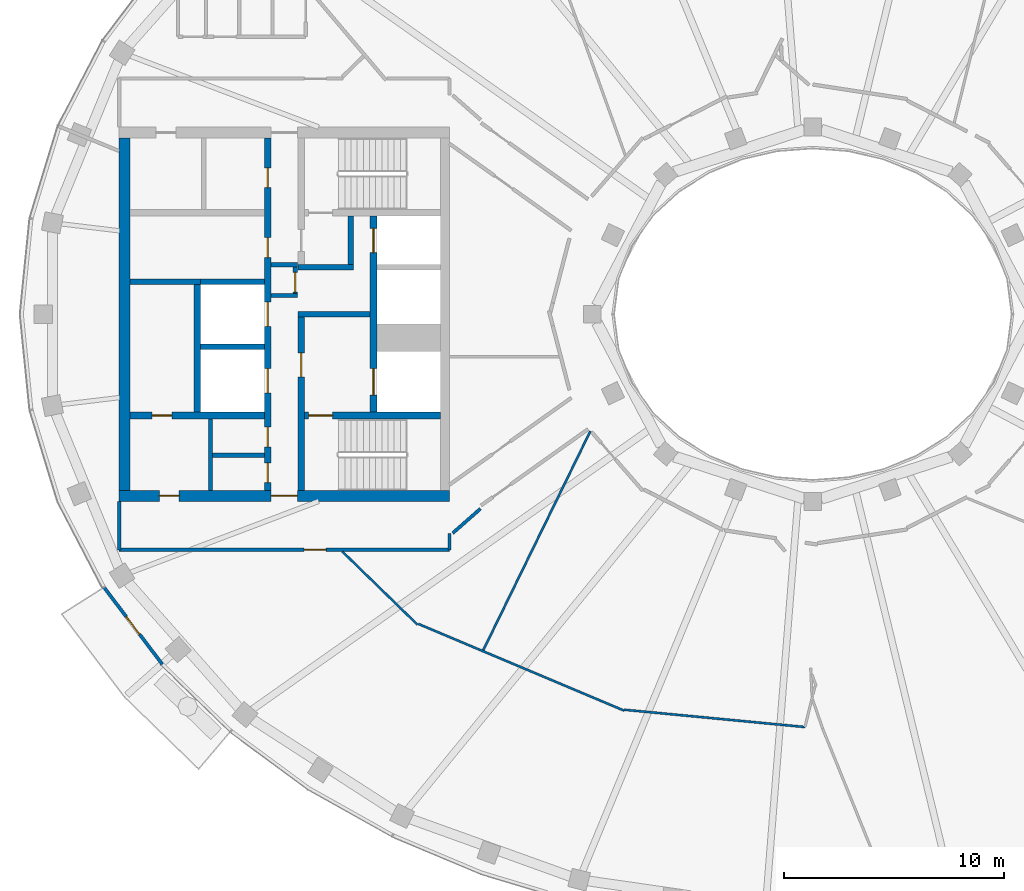
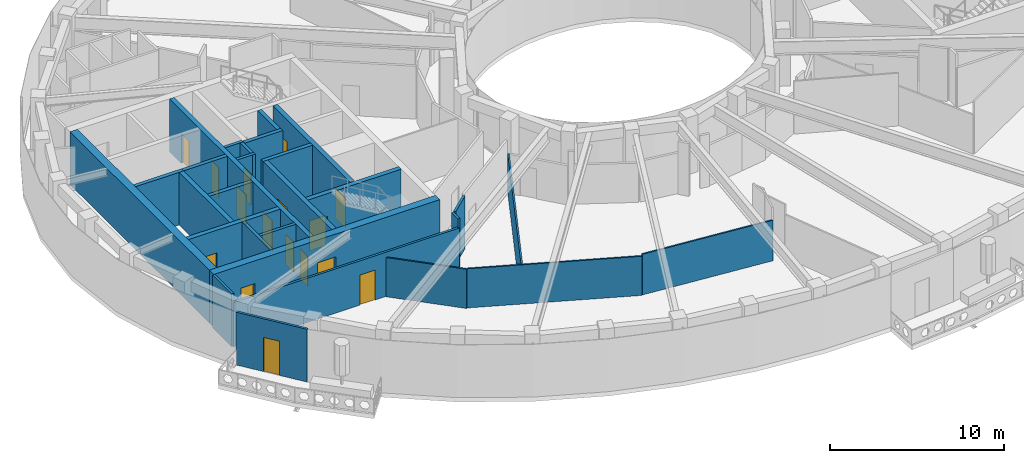
# One storey, part 3 of 20: 28 walls, 16 doors, 16 openings.
"""IFC4 building model written with IfcOpenShell, lengths in metres."""

from ifc_helpers import new_model, si_unit, direction, frame, frame_2d, origin, place, context, subcontext, project, spatial, rectangle, extrude, material, layer, layer_set, type_object, element, fill, save


model = new_model("IFC4")

# Units and contexts
model_context = context("Model", 3, precision=1e-05, world=origin(), true_north=direction((0.0, 1.0)))
body_context = subcontext(model_context, "Body", "Model", "MODEL_VIEW")
ifc_project = project(units=[si_unit("LENGTHUNIT", "METRE"), si_unit("AREAUNIT", "SQUARE_METRE"), si_unit("VOLUMEUNIT", "CUBIC_METRE"), si_unit("PLANEANGLEUNIT", "RADIAN"), si_unit("MASSUNIT", "GRAM", prefix="KILO")], contexts=[model_context])

# Site, building, storey
site_placement = place(None, origin())
site = spatial("IfcSite", under=ifc_project, at=site_placement, CompositionType="ELEMENT")
building_placement = place(site_placement, origin())
building = spatial("IfcBuilding", under=site, at=building_placement, Name="Noorbagh Ring Tower", CompositionType="ELEMENT")
storey_placement = place(building_placement, frame((0.0, 0.0, 323.0)))
storey = spatial("IfcBuildingStorey", under=building, at=storey_placement, Name="L70", CompositionType="ELEMENT", Elevation=323.0)

# Walls
ifc_material_1 = material(Name="Gypsum board on steel studs", Category="steel")
ifc_layer_1 = layer(ifc_material_1, 0.199951171875)
ifc_layer_set_1 = layer_set([ifc_layer_1], Name="Gypsum board on steel studs")
wall_type_1 = type_object("IfcWallType", Name="CORE-PARTITION-200", PredefinedType="PARTITIONING", material=ifc_layer_set_1)
for number, where, z_axis, x_axis, name in (
    (1, (-23.39990234375, 0.85009765625, 0.0), (0.0, 0.0, 1.0), (-1.0, 0.0, 0.0), "Core partition W"),
    (2, (-23.39990234375, 2.25, 0.0), (0.0, 0.0, 1.0), (-1.0, 0.0, 0.0), "Core partition W"),
):
    element("IfcWall", number, at=place(storey_placement, frame(where, z_axis=z_axis, x_axis=x_axis)), inside=storey, type_object=wall_type_1, Name=name, PredefinedType="PARTITIONING", context=body_context, shape_type="SweptSolid", body=[
        extrude(rectangle(XDim=1.2001953125, YDim=0.199951171875, at=frame_2d((0.60009765625, 0.0))), origin(), (0.0, 0.0, 1.0), 3.699951171875),
    ])

# Wall, opening, door
wall_1_placement = place(storey_placement, frame((-23.5, 0.75, 0.0), z_axis=(0.0, 0.0, 1.0), x_axis=(0.0, 1.0, 0.0)))
wall_1 = element("IfcWall", 3, at=wall_1_placement, inside=storey, type_object=wall_type_1, Name="Core partition W", PredefinedType="PARTITIONING", context=body_context, shape_type="SweptSolid", body=[
    extrude(rectangle(XDim=1.60009765625, YDim=0.199951171875, at=frame_2d((0.800048828125, 0.0))), origin(), (0.0, 0.0, 1.0), 3.699951171875),
])
opening_1_placement = place(wall_1_placement, frame((0.25, 0.0, 0.0)))
opening_1 = element("IfcOpeningElement", 4, at=opening_1_placement, cuts=wall_1, Name="Opening L70-CW17", PredefinedType="OPENING", context=body_context, shape_type="SweptSolid", body=[
    extrude(rectangle(XDim=0.89990234375, YDim=2.10009765625, at=frame_2d((0.449951171875, 1.050048828125))), frame((0.0, 0.10986328125, 0.0), z_axis=(0.0, -1.0, 0.0), x_axis=(1.0, 0.0, 0.0)), (0.0, 0.0, 1.0), 0.219970703125),
])
ifc_material_2 = material(Name="Steel door leaf", Category="steel")
door_type_1 = type_object("IfcDoorType", Name="CORE-DOOR-DROOM", OperationType="SINGLE_SWING_LEFT", PredefinedType="DOOR", material=ifc_material_2)
door_1_placement = place(opening_1_placement, origin())
door_1 = element("IfcDoor", 5, at=door_1_placement, inside=storey, type_object=door_type_1, Name="Core room door L70-CW17", OperationType="SINGLE_SWING_RIGHT", OverallHeight=2.10009765625, OverallWidth=0.89990234375, PredefinedType="DOOR", context=body_context, shape_type="SweptSolid", body=[
    extrude(rectangle(XDim=0.89990234375, YDim=2.10009765625, at=frame_2d((0.449951171875, 1.050048828125))), frame((0.0, 0.02490234375, 0.0), z_axis=(0.0, -1.0, 0.0), x_axis=(1.0, 0.0, 0.0)), (0.0, 0.0, 1.0), 0.050048828125),
])
fill(opening_1, door_1)

# Walls
wall_2_placement = place(storey_placement, frame((-27.35009765625, -8.0, 0.0), z_axis=(0.0, 0.0, 1.0), x_axis=(0.0, 1.0, 0.0)))
element("IfcWall", 6, at=wall_2_placement, inside=storey, type_object=wall_type_1, Name="Core partition W", PredefinedType="PARTITIONING", context=body_context, shape_type="SweptSolid", body=[
    extrude(rectangle(XDim=3.25, YDim=0.199951171875, at=frame_2d((1.625, 0.0))), origin(), (0.0, 0.0, 1.0), 3.699951171875),
])
wall_3_placement = place(storey_placement, frame((-24.89990234375, -6.39990234375, 0.0), z_axis=(0.0, 0.0, 1.0), x_axis=(-1.0, 0.0, 0.0)))
element("IfcWall", 7, at=wall_3_placement, inside=storey, type_object=wall_type_1, Name="Core partition W", PredefinedType="PARTITIONING", context=body_context, shape_type="SweptSolid", body=[
    extrude(rectangle(XDim=2.35009765625, YDim=0.199951171875, at=frame_2d((1.175048828125, 0.0))), origin(), (0.0, 0.0, 1.0), 3.699951171875),
])
ifc_material_3 = material(Name="Concrete C50/60", Category="concrete")
ifc_layer_2 = layer(ifc_material_3, 0.25)
ifc_layer_set_2 = layer_set([ifc_layer_2], Name="Concrete C50/60")
wall_type_2 = type_object("IfcWallType", Name="CORE-WALL-250-C50-60-EI120", PredefinedType="SHEAR", material=ifc_layer_set_2)
wall_4_placement = place(storey_placement, frame((-27.800048828125, 1.47509765625, 0.0), z_axis=(0.0, 0.0, 1.0), x_axis=(-1.0, 0.0, 0.0)))
element("IfcWall", 8, at=wall_4_placement, inside=storey, type_object=wall_type_2, Name="Core wall W", PredefinedType="SHEAR", context=body_context, shape_type="SweptSolid", body=[
    extrude(rectangle(XDim=3.199951171875, YDim=0.25, at=frame_2d((1.60009765625, 0.0))), origin(), (0.0, 0.0, 1.0), 3.699951171875),
])
for number, where, z_axis, x_axis, name in (
    (9, (-24.89990234375, -1.47509765625, 0.0), (0.0, 0.0, 1.0), (-1.0, 0.0, 0.0), "Core wall W"),
    (10, (-24.89990234375, 1.47509765625, 0.0), (0.0, 0.0, 1.0), (-1.0, 0.0, 0.0), "Core wall W"),
):
    element("IfcWall", number, at=place(storey_placement, frame(where, z_axis=z_axis, x_axis=x_axis)), inside=storey, type_object=wall_type_2, Name=name, PredefinedType="SHEAR", context=body_context, shape_type="SweptSolid", body=[
        extrude(rectangle(XDim=2.900146484375, YDim=0.25, at=frame_2d((1.4501953125, 0.0))), origin(), (0.0, 0.0, 1.0), 3.699951171875),
    ])
ifc_material_4 = material(Name="Concrete C50/60", Category="concrete")
ifc_layer_3 = layer(ifc_material_4, 0.25)
ifc_layer_set_3 = layer_set([ifc_layer_3], Name="Concrete C50/60")
wall_type_3 = type_object("IfcWallType", Name="CORE-WALL-250-C50-60-EI240", PredefinedType="SHEAR", material=ifc_layer_set_3)
wall_5_placement = place(storey_placement, frame((-20.10009765625, 0.0, 0.0), z_axis=(0.0, 0.0, 1.0), x_axis=(-1.0, 0.0, 0.0)))
element("IfcWall", 11, at=wall_5_placement, inside=storey, type_object=wall_type_3, Name="Core wall W", PredefinedType="SHEAR", context=body_context, shape_type="SweptSolid", body=[
    extrude(rectangle(XDim=3.27978515625, YDim=0.25, at=frame_2d((1.639892578125, 0.0))), origin(), (0.0, 0.0, 1.0), 3.699951171875),
])
wall_6_placement = place(storey_placement, frame((-20.85009765625, 2.125, 0.0), z_axis=(0.0, 0.0, 1.0), x_axis=(-1.0, 0.0, 0.0)))
element("IfcWall", 12, at=wall_6_placement, inside=storey, type_object=wall_type_3, Name="Core wall W", PredefinedType="SHEAR", context=body_context, shape_type="SweptSolid", body=[
    extrude(rectangle(XDim=2.52978515625, YDim=0.25, at=frame_2d((1.264892578125, 0.0))), origin(), (0.0, 0.0, 1.0), 3.699951171875),
])
wall_7_placement = place(storey_placement, frame((-20.97509765625, 2.25, 0.0), z_axis=(0.0, 0.0, 1.0), x_axis=(0.0, 1.0, 0.0)))
element("IfcWall", 13, at=wall_7_placement, inside=storey, type_object=wall_type_3, Name="Core wall W", PredefinedType="SHEAR", context=body_context, shape_type="SweptSolid", body=[
    extrude(rectangle(XDim=2.199951171875, YDim=0.25, at=frame_2d((1.10009765625, 0.0))), origin(), (0.0, 0.0, 1.0), 3.699951171875),
])
ifc_material_5 = material(Name="Concrete C50/60", Category="concrete")
ifc_layer_4 = layer(ifc_material_5, 0.300048828125)
ifc_layer_set_4 = layer_set([ifc_layer_4], Name="Concrete C50/60")
wall_type_4 = type_object("IfcWallType", Name="CORE-WALL-300-C50-60-EI120", PredefinedType="SHEAR", material=ifc_layer_set_4)
wall_8_placement = place(storey_placement, frame((-27.949951171875, -4.449951171875, 0.0), z_axis=(0.0, 0.0, 1.0), x_axis=(0.0, 1.0, 0.0)))
element("IfcWall", 14, at=wall_8_placement, inside=storey, type_object=wall_type_4, Name="Core wall W", PredefinedType="SHEAR", context=body_context, shape_type="SweptSolid", body=[
    extrude(rectangle(XDim=5.800048828125, YDim=0.300048828125, at=frame_2d((2.89990234375, 0.0))), origin(), (0.0, 0.0, 1.0), 3.699951171875),
])

# Wall, openings, doors
wall_9_placement = place(storey_placement, frame((-19.949951171875, -4.449951171875, 0.0), z_axis=(0.0, 0.0, 1.0), x_axis=(0.0, 1.0, 0.0)))
wall_9 = element("IfcWall", 15, at=wall_9_placement, inside=storey, type_object=wall_type_4, Name="Core wall W", PredefinedType="SHEAR", context=body_context, shape_type="SweptSolid", body=[
    extrude(rectangle(XDim=8.89990234375, YDim=0.300048828125, at=frame_2d((4.449951171875, 0.0))), origin(), (0.0, 0.0, 1.0), 3.699951171875),
])
opening_2_placement = place(wall_9_placement, frame((0.77490234375, 0.0, 0.0)))
opening_2 = element("IfcOpeningElement", 16, at=opening_2_placement, cuts=wall_9, Name="Opening L70-CW01", PredefinedType="OPENING", context=body_context, shape_type="SweptSolid", body=[
    extrude(rectangle(XDim=1.199951171875, YDim=2.10009765625, at=frame_2d((0.60009765625, 1.050048828125))), frame((0.0, 0.16015625, 0.0), z_axis=(0.0, -1.0, 0.0), x_axis=(1.0, 0.0, 0.0)), (0.0, 0.0, 1.0), 0.320068359375),
])
opening_3_placement = place(wall_9_placement, frame((7.25, 0.0, 0.0)))
opening_3 = element("IfcOpeningElement", 17, at=opening_3_placement, cuts=wall_9, Name="Opening L70-CW02", PredefinedType="OPENING", context=body_context, shape_type="SweptSolid", body=[
    extrude(rectangle(XDim=1.10009765625, YDim=2.10009765625, at=frame_2d((0.550048828125, 1.050048828125))), frame((0.0, 0.16015625, 0.0), z_axis=(0.0, -1.0, 0.0), x_axis=(1.0, 0.0, 0.0)), (0.0, 0.0, 1.0), 0.320068359375),
])
ifc_material_6 = material(Name="Steel door leaf", Category="steel")
door_type_2 = type_object("IfcDoorType", Name="CORE-DOOR-LD", OperationType="DOUBLE_DOOR_SLIDING", PredefinedType="DOOR", material=ifc_material_6)
door_2_placement = place(opening_3_placement, origin())
door_2 = element("IfcDoor", 18, at=door_2_placement, inside=storey, type_object=door_type_2, Name="Landing door HR1 L70-CW02", OperationType="DOUBLE_DOOR_SLIDING", OverallHeight=2.10009765625, OverallWidth=1.10009765625, PredefinedType="DOOR", context=body_context, shape_type="SweptSolid", body=[
    extrude(rectangle(XDim=1.10009765625, YDim=2.10009765625, at=frame_2d((0.550048828125, 1.050048828125))), frame((0.0, 0.02490234375, 0.0), z_axis=(0.0, -1.0, 0.0), x_axis=(1.0, 0.0, 0.0)), (0.0, 0.0, 1.0), 0.050048828125),
])
fill(opening_3, door_2)
ifc_material_7 = material(Name="Steel door leaf", Category="steel")
door_type_3 = type_object("IfcDoorType", Name="CORE-DOOR-LDW", OperationType="DOUBLE_DOOR_SLIDING", PredefinedType="DOOR", material=ifc_material_7)
door_3_placement = place(opening_2_placement, origin())
door_3 = element("IfcDoor", 19, at=door_3_placement, inside=storey, type_object=door_type_3, Name="Landing door FF1 L70-CW01", OperationType="DOUBLE_DOOR_SLIDING", OverallHeight=2.10009765625, OverallWidth=1.199951171875, PredefinedType="DOOR", context=body_context, shape_type="SweptSolid", body=[
    extrude(rectangle(XDim=1.199951171875, YDim=2.10009765625, at=frame_2d((0.60009765625, 1.050048828125))), frame((0.0, 0.02490234375, 0.0), z_axis=(0.0, -1.0, 0.0), x_axis=(1.0, 0.0, 0.0)), (0.0, 0.0, 1.0), 0.050048828125),
])
fill(opening_2, door_3)

wall_10_placement = place(storey_placement, frame((-24.75, -8.0, 0.0), z_axis=(0.0, 0.0, 1.0), x_axis=(0.0, 1.0, 0.0)))
wall_10 = element("IfcWall", 20, at=wall_10_placement, inside=storey, type_object=wall_type_4, Name="Core wall W", PredefinedType="SHEAR", context=body_context, shape_type="SweptSolid", body=[
    extrude(rectangle(XDim=16.0, YDim=0.300048828125, at=frame_2d((8.0, 0.0))), origin(), (0.0, 0.0, 1.0), 3.699951171875),
])
opening_4_placement = place(wall_10_placement, frame((4.425048828125, 0.0, 0.0)))
opening_4 = element("IfcOpeningElement", 21, at=opening_4_placement, cuts=wall_10, Name="Opening L70-CW03", PredefinedType="OPENING", context=body_context, shape_type="SweptSolid", body=[
    extrude(rectangle(XDim=1.10009765625, YDim=2.10009765625, at=frame_2d((0.550048828125, 1.050048828125))), frame((0.0, 0.16015625, 0.0), z_axis=(0.0, -1.0, 0.0), x_axis=(1.0, 0.0, 0.0)), (0.0, 0.0, 1.0), 0.320068359375),
])
opening_5_placement = place(wall_10_placement, frame((7.449951171875, 0.0, 0.0)))
opening_5 = element("IfcOpeningElement", 22, at=opening_5_placement, cuts=wall_10, Name="Opening L70-CW04", PredefinedType="OPENING", context=body_context, shape_type="SweptSolid", body=[
    extrude(rectangle(XDim=1.10009765625, YDim=2.10009765625, at=frame_2d((0.550048828125, 1.050048828125))), frame((0.0, 0.16015625, 0.0), z_axis=(0.0, -1.0, 0.0), x_axis=(1.0, 0.0, 0.0)), (0.0, 0.0, 1.0), 0.320068359375),
])
opening_6_placement = place(wall_10_placement, frame((10.574951171875, 0.0, 0.0)))
opening_6 = element("IfcOpeningElement", 23, at=opening_6_placement, cuts=wall_10, Name="Opening L70-CW11", PredefinedType="OPENING", context=body_context, shape_type="SweptSolid", body=[
    extrude(rectangle(XDim=0.89990234375, YDim=2.10009765625, at=frame_2d((0.449951171875, 1.050048828125))), frame((0.0, 0.16015625, 0.0), z_axis=(0.0, -1.0, 0.0), x_axis=(1.0, 0.0, 0.0)), (0.0, 0.0, 1.0), 0.320068359375),
])
opening_7_placement = place(wall_10_placement, frame((13.75, 0.0, 0.0)))
opening_7 = element("IfcOpeningElement", 24, at=opening_7_placement, cuts=wall_10, Name="Opening L70-CW12", PredefinedType="OPENING", context=body_context, shape_type="SweptSolid", body=[
    extrude(rectangle(XDim=0.89990234375, YDim=2.10009765625, at=frame_2d((0.449951171875, 1.050048828125))), frame((0.0, 0.16015625, 0.0), z_axis=(0.0, -1.0, 0.0), x_axis=(1.0, 0.0, 0.0)), (0.0, 0.0, 1.0), 0.320068359375),
])
opening_8_placement = place(wall_10_placement, frame((1.97509765625, 0.0, 0.0)))
opening_8 = element("IfcOpeningElement", 25, at=opening_8_placement, cuts=wall_10, Name="Opening L70-CW14", PredefinedType="OPENING", context=body_context, shape_type="SweptSolid", body=[
    extrude(rectangle(XDim=0.89990234375, YDim=2.10009765625, at=frame_2d((0.449951171875, 1.050048828125))), frame((0.0, 0.16015625, 0.0), z_axis=(0.0, -1.0, 0.0), x_axis=(1.0, 0.0, 0.0)), (0.0, 0.0, 1.0), 0.320068359375),
])
opening_9_placement = place(wall_10_placement, frame((0.35009765625, 0.0, 0.0)))
opening_9 = element("IfcOpeningElement", 26, at=opening_9_placement, cuts=wall_10, Name="Opening L70-CW15", PredefinedType="OPENING", context=body_context, shape_type="SweptSolid", body=[
    extrude(rectangle(XDim=0.89990234375, YDim=2.10009765625, at=frame_2d((0.449951171875, 1.050048828125))), frame((0.0, 0.16015625, 0.0), z_axis=(0.0, -1.0, 0.0), x_axis=(1.0, 0.0, 0.0)), (0.0, 0.0, 1.0), 0.320068359375),
])
door_4_placement = place(opening_6_placement, origin())
door_4 = element("IfcDoor", 27, at=door_4_placement, inside=storey, type_object=door_type_1, Name="Core room door L70-CW11", OperationType="SINGLE_SWING_RIGHT", OverallHeight=2.10009765625, OverallWidth=0.89990234375, PredefinedType="DOOR", context=body_context, shape_type="SweptSolid", body=[
    extrude(rectangle(XDim=0.89990234375, YDim=2.10009765625, at=frame_2d((0.449951171875, 1.050048828125))), frame((0.0, 0.02490234375, 0.0), z_axis=(0.0, -1.0, 0.0), x_axis=(1.0, 0.0, 0.0)), (0.0, 0.0, 1.0), 0.050048828125),
])
fill(opening_6, door_4)
door_5_placement = place(opening_7_placement, origin())
door_5 = element("IfcDoor", 28, at=door_5_placement, inside=storey, type_object=door_type_1, Name="Core room door L70-CW12", OperationType="SINGLE_SWING_RIGHT", OverallHeight=2.10009765625, OverallWidth=0.89990234375, PredefinedType="DOOR", context=body_context, shape_type="SweptSolid", body=[
    extrude(rectangle(XDim=0.89990234375, YDim=2.10009765625, at=frame_2d((0.449951171875, 1.050048828125))), frame((0.0, 0.02490234375, 0.0), z_axis=(0.0, -1.0, 0.0), x_axis=(1.0, 0.0, 0.0)), (0.0, 0.0, 1.0), 0.050048828125),
])
fill(opening_7, door_5)
door_6_placement = place(opening_8_placement, origin())
door_6 = element("IfcDoor", 29, at=door_6_placement, inside=storey, type_object=door_type_1, Name="Core room door L70-CW14", OperationType="SINGLE_SWING_RIGHT", OverallHeight=2.10009765625, OverallWidth=0.89990234375, PredefinedType="DOOR", context=body_context, shape_type="SweptSolid", body=[
    extrude(rectangle(XDim=0.89990234375, YDim=2.10009765625, at=frame_2d((0.449951171875, 1.050048828125))), frame((0.0, 0.02490234375, 0.0), z_axis=(0.0, -1.0, 0.0), x_axis=(1.0, 0.0, 0.0)), (0.0, 0.0, 1.0), 0.050048828125),
])
fill(opening_8, door_6)
door_7_placement = place(opening_9_placement, origin())
door_7 = element("IfcDoor", 30, at=door_7_placement, inside=storey, type_object=door_type_1, Name="Core room door L70-CW15", OperationType="SINGLE_SWING_LEFT", OverallHeight=2.10009765625, OverallWidth=0.89990234375, PredefinedType="DOOR", context=body_context, shape_type="SweptSolid", body=[
    extrude(rectangle(XDim=0.89990234375, YDim=2.10009765625, at=frame_2d((0.449951171875, 1.050048828125))), frame((0.0, 0.02490234375, 0.0), z_axis=(0.0, -1.0, 0.0), x_axis=(1.0, 0.0, 0.0)), (0.0, 0.0, 1.0), 0.050048828125),
])
fill(opening_9, door_7)
door_8_placement = place(opening_4_placement, origin())
door_8 = element("IfcDoor", 31, at=door_8_placement, inside=storey, type_object=door_type_2, Name="Landing door HR5 L70-CW03", OperationType="DOUBLE_DOOR_SLIDING", OverallHeight=2.10009765625, OverallWidth=1.10009765625, PredefinedType="DOOR", context=body_context, shape_type="SweptSolid", body=[
    extrude(rectangle(XDim=1.10009765625, YDim=2.10009765625, at=frame_2d((0.550048828125, 1.050048828125))), frame((0.0, 0.02490234375, 0.0), z_axis=(0.0, -1.0, 0.0), x_axis=(1.0, 0.0, 0.0)), (0.0, 0.0, 1.0), 0.050048828125),
])
fill(opening_4, door_8)
door_9_placement = place(opening_5_placement, origin())
door_9 = element("IfcDoor", 32, at=door_9_placement, inside=storey, type_object=door_type_2, Name="Landing door HR6 L70-CW04", OperationType="DOUBLE_DOOR_SLIDING", OverallHeight=2.10009765625, OverallWidth=1.10009765625, PredefinedType="DOOR", context=body_context, shape_type="SweptSolid", body=[
    extrude(rectangle(XDim=1.10009765625, YDim=2.10009765625, at=frame_2d((0.550048828125, 1.050048828125))), frame((0.0, 0.02490234375, 0.0), z_axis=(0.0, -1.0, 0.0), x_axis=(1.0, 0.0, 0.0)), (0.0, 0.0, 1.0), 0.050048828125),
])
fill(opening_5, door_9)

# Wall, opening, door
ifc_material_8 = material(Name="Concrete C50/60", Category="concrete")
ifc_layer_5 = layer(ifc_material_8, 0.300048828125)
ifc_layer_set_5 = layer_set([ifc_layer_5], Name="Concrete C50/60")
wall_type_5 = type_object("IfcWallType", Name="CORE-WALL-300-C50-60-EI240", PredefinedType="SHEAR", material=ifc_layer_set_5)
wall_11_placement = place(storey_placement, frame((-24.89990234375, -4.60009765625, 0.0), z_axis=(0.0, 0.0, 1.0), x_axis=(-1.0, 0.0, 0.0)))
wall_11 = element("IfcWall", 33, at=wall_11_placement, inside=storey, type_object=wall_type_5, Name="Core wall W", PredefinedType="SHEAR", context=body_context, shape_type="SweptSolid", body=[
    extrude(rectangle(XDim=6.10009765625, YDim=0.300048828125, at=frame_2d((3.050048828125, 0.0))), origin(), (0.0, 0.0, 1.0), 3.699951171875),
])
opening_10_placement = place(wall_11_placement, frame((4.199951171875, 0.0, 0.0)))
opening_10 = element("IfcOpeningElement", 34, at=opening_10_placement, cuts=wall_11, Name="Opening L70-CW18", PredefinedType="OPENING", context=body_context, shape_type="SweptSolid", body=[
    extrude(rectangle(XDim=0.89990234375, YDim=2.10009765625, at=frame_2d((0.449951171875, 1.050048828125))), frame((0.0, 0.16015625, 0.0), z_axis=(0.0, -1.0, 0.0), x_axis=(1.0, 0.0, 0.0)), (0.0, 0.0, 1.0), 0.320068359375),
])
door_10_placement = place(opening_10_placement, origin())
door_10 = element("IfcDoor", 35, at=door_10_placement, inside=storey, type_object=door_type_1, Name="Core room door L70-CW18", OperationType="SINGLE_SWING_RIGHT", OverallHeight=2.10009765625, OverallWidth=0.89990234375, PredefinedType="DOOR", context=body_context, shape_type="SweptSolid", body=[
    extrude(rectangle(XDim=0.89990234375, YDim=2.10009765625, at=frame_2d((0.449951171875, 1.050048828125))), frame((0.0, 0.02490234375, 0.0), z_axis=(0.0, -1.0, 0.0), x_axis=(1.0, 0.0, 0.0)), (0.0, 0.0, 1.0), 0.050048828125),
])
fill(opening_10, door_10)

wall_12_placement = place(storey_placement, frame((-23.22998046875, -8.0, 0.0), z_axis=(0.0, 0.0, 1.0), x_axis=(0.0, 1.0, 0.0)))
wall_12 = element("IfcWall", 36, at=wall_12_placement, inside=storey, type_object=wall_type_5, Name="Core wall W", PredefinedType="SHEAR", context=body_context, shape_type="SweptSolid", body=[
    extrude(rectangle(XDim=7.875, YDim=0.300048828125, at=frame_2d((3.9375, 0.0))), origin(), (0.0, 0.0, 1.0), 3.699951171875),
])
opening_11_placement = place(wall_12_placement, frame((5.14990234375, 0.0, 0.0)))
opening_11 = element("IfcOpeningElement", 37, at=opening_11_placement, cuts=wall_12, Name="Opening L70-CW07", PredefinedType="OPENING", context=body_context, shape_type="SweptSolid", body=[
    extrude(rectangle(XDim=1.10009765625, YDim=2.10009765625, at=frame_2d((0.550048828125, 1.050048828125))), frame((0.0, 0.16015625, 0.0), z_axis=(0.0, -1.0, 0.0), x_axis=(1.0, 0.0, 0.0)), (0.0, 0.0, 1.0), 0.320068359375),
])
ifc_material_9 = material(Name="Steel door leaf", Category="steel")
door_type_4 = type_object("IfcDoorType", Name="CORE-DOOR-DFF", OperationType="SINGLE_SWING_LEFT", PredefinedType="DOOR", material=ifc_material_9)
door_11_placement = place(opening_11_placement, origin())
door_11 = element("IfcDoor", 38, at=door_11_placement, inside=storey, type_object=door_type_4, Name="Firefighting lobby door L70-CW07", OperationType="SINGLE_SWING_LEFT", OverallHeight=2.10009765625, OverallWidth=1.10009765625, PredefinedType="DOOR", context=body_context, shape_type="SweptSolid", body=[
    extrude(rectangle(XDim=1.10009765625, YDim=2.10009765625, at=frame_2d((0.550048828125, 1.050048828125))), frame((0.0, 0.02490234375, 0.0), z_axis=(0.0, -1.0, 0.0), x_axis=(1.0, 0.0, 0.0)), (0.0, 0.0, 1.0), 0.050048828125),
])
fill(opening_11, door_11)

wall_13_placement = place(storey_placement, frame((-16.89990234375, -4.60009765625, 0.0), z_axis=(0.0, 0.0, 1.0), x_axis=(-1.0, 0.0, 0.0)))
wall_13 = element("IfcWall", 39, at=wall_13_placement, inside=storey, type_object=wall_type_5, Name="Core wall W", PredefinedType="SHEAR", context=body_context, shape_type="SweptSolid", body=[
    extrude(rectangle(XDim=6.18017578125, YDim=0.300048828125, at=frame_2d((3.090087890625, 0.0))), origin(), (0.0, 0.0, 1.0), 3.699951171875),
])
opening_12_placement = place(wall_13_placement, frame((4.89990234375, 0.0, 0.0)))
opening_12 = element("IfcOpeningElement", 40, at=opening_12_placement, cuts=wall_13, Name="Opening L70-CW06", PredefinedType="OPENING", context=body_context, shape_type="SweptSolid", body=[
    extrude(rectangle(XDim=1.10009765625, YDim=2.10009765625, at=frame_2d((0.550048828125, 1.050048828125))), frame((0.0, 0.16015625, 0.0), z_axis=(0.0, -1.0, 0.0), x_axis=(1.0, 0.0, 0.0)), (0.0, 0.0, 1.0), 0.320068359375),
])
ifc_material_10 = material(Name="Steel door leaf", Category="steel")
door_type_5 = type_object("IfcDoorType", Name="CORE-DOOR-DSTAIR", OperationType="SINGLE_SWING_LEFT", PredefinedType="DOOR", material=ifc_material_10)
door_12_placement = place(opening_12_placement, origin())
door_12 = element("IfcDoor", 41, at=door_12_placement, inside=storey, type_object=door_type_5, Name="Stair door ST2 L70-CW06", OperationType="SINGLE_SWING_LEFT", OverallHeight=2.10009765625, OverallWidth=1.10009765625, PredefinedType="DOOR", context=body_context, shape_type="SweptSolid", body=[
    extrude(rectangle(XDim=1.10009765625, YDim=2.10009765625, at=frame_2d((0.550048828125, 1.050048828125))), frame((0.0, 0.02490234375, 0.0), z_axis=(0.0, -1.0, 0.0), x_axis=(1.0, 0.0, 0.0)), (0.0, 0.0, 1.0), 0.050048828125),
])
fill(opening_12, door_12)

# Wall, openings, doors
ifc_material_11 = material(Name="Concrete C50/60", Category="concrete")
ifc_layer_6 = layer(ifc_material_11, 0.5)
ifc_layer_set_6 = layer_set([ifc_layer_6], Name="Concrete C50/60")
wall_type_6 = type_object("IfcWallType", Name="CORE-WALL-500-C50-60-EI240", PredefinedType="SHEAR", material=ifc_layer_set_6)
wall_14_placement = place(storey_placement, frame((-16.5, -8.25, 0.0), z_axis=(0.0, 0.0, 1.0), x_axis=(-1.0, 0.0, 0.0)))
wall_14 = element("IfcWall", 42, at=wall_14_placement, inside=storey, type_object=wall_type_6, Name="Core wall W", PredefinedType="SHEAR", context=body_context, shape_type="SweptSolid", body=[
    extrude(rectangle(XDim=15.0, YDim=0.5, at=frame_2d((7.5, 0.0))), origin(), (0.0, 0.0, 1.0), 3.699951171875),
])
opening_13_placement = place(wall_14_placement, frame((6.89990234375, 0.0, 0.0)))
opening_13 = element("IfcOpeningElement", 43, at=opening_13_placement, cuts=wall_14, Name="Opening L70-CW10", PredefinedType="OPENING", context=body_context, shape_type="SweptSolid", body=[
    extrude(rectangle(XDim=1.199951171875, YDim=2.10009765625, at=frame_2d((0.60009765625, 1.050048828125))), frame((0.0, 0.260009765625, 0.0), z_axis=(0.0, -1.0, 0.0), x_axis=(1.0, 0.0, 0.0)), (0.0, 0.0, 1.0), 0.52001953125),
])
opening_14_placement = place(wall_14_placement, frame((12.27490234375, 0.0, 0.0)))
opening_14 = element("IfcOpeningElement", 44, at=opening_14_placement, cuts=wall_14, Name="Opening L70-CW16", PredefinedType="OPENING", context=body_context, shape_type="SweptSolid", body=[
    extrude(rectangle(XDim=0.89990234375, YDim=2.10009765625, at=frame_2d((0.449951171875, 1.050048828125))), frame((0.0, 0.260009765625, 0.0), z_axis=(0.0, -1.0, 0.0), x_axis=(1.0, 0.0, 0.0)), (0.0, 0.0, 1.0), 0.52001953125),
])
door_13_placement = place(opening_14_placement, origin())
door_13 = element("IfcDoor", 45, at=door_13_placement, inside=storey, type_object=door_type_1, Name="Core room door L70-CW16", OperationType="SINGLE_SWING_LEFT", OverallHeight=2.10009765625, OverallWidth=0.89990234375, PredefinedType="DOOR", context=body_context, shape_type="SweptSolid", body=[
    extrude(rectangle(XDim=0.89990234375, YDim=2.10009765625, at=frame_2d((0.449951171875, 1.050048828125))), frame((0.0, 0.02490234375, 0.0), z_axis=(0.0, -1.0, 0.0), x_axis=(1.0, 0.0, 0.0)), (0.0, 0.0, 1.0), 0.050048828125),
])
fill(opening_14, door_13)
ifc_material_12 = material(Name="Steel door leaf", Category="steel")
door_type_6 = type_object("IfcDoorType", Name="CORE-DOOR-PORT", OperationType="DOUBLE_DOOR_DOUBLE_SWING", PredefinedType="DOOR", material=ifc_material_12)
door_14_placement = place(opening_13_placement, origin())
door_14 = element("IfcDoor", 46, at=door_14_placement, inside=storey, type_object=door_type_6, Name="Core entrance door L70-CW10", OperationType="DOUBLE_DOOR_DOUBLE_SWING", OverallHeight=2.10009765625, OverallWidth=1.199951171875, PredefinedType="DOOR", context=body_context, shape_type="SweptSolid", body=[
    extrude(rectangle(XDim=1.199951171875, YDim=2.10009765625, at=frame_2d((0.60009765625, 1.050048828125))), frame((0.0, 0.02490234375, 0.0), z_axis=(0.0, -1.0, 0.0), x_axis=(1.0, 0.0, 0.0)), (0.0, 0.0, 1.0), 0.050048828125),
])
fill(opening_13, door_14)

# Walls
wall_15_placement = place(storey_placement, frame((-31.25, -8.0, 0.0), z_axis=(0.0, 0.0, 1.0), x_axis=(0.0, 1.0, 0.0)))
element("IfcWall", 47, at=wall_15_placement, inside=storey, type_object=wall_type_6, Name="Core wall W", PredefinedType="SHEAR", context=body_context, shape_type="SweptSolid", body=[
    extrude(rectangle(XDim=16.0, YDim=0.5, at=frame_2d((8.0, 0.0))), origin(), (0.0, 0.0, 1.0), 3.699951171875),
])
ifc_material_13 = material(Name="Gypsum board on steel studs", Category="steel")
ifc_layer_7 = layer(ifc_material_13, 0.14990234375)
ifc_layer_set_7 = layer_set([ifc_layer_7], Name="Gypsum board on steel studs")
wall_type_7 = type_object("IfcWallType", Name="CORRIDOR PARTITION 150 EI 30", PredefinedType="PARTITIONING", material=ifc_layer_set_7)
wall_16_placement = place(storey_placement, frame((-31.5, -10.699951171875, 0.0), z_axis=(0.0, 0.0, 1.0), x_axis=(0.0, 1.0, 0.0)))
element("IfcWall", 48, at=wall_16_placement, inside=storey, type_object=wall_type_7, Name="L70/wall/P02", PredefinedType="PARTITIONING", context=body_context, shape_type="SweptSolid", body=[
    extrude(rectangle(XDim=2.199951171875, YDim=0.14990234375, at=frame_2d((1.10009765625, 0.0))), origin(), (0.0, 0.0, 1.0), 3.699951171875),
])

# Wall, opening, door
wall_17_placement = place(storey_placement, frame((-31.5, -10.699951171875, 0.0), z_axis=(0.0, 0.0, 1.0), x_axis=(1.0, 0.0, 0.0)))
wall_17 = element("IfcWall", 49, at=wall_17_placement, inside=storey, type_object=wall_type_7, Name="L70/wall/P03", PredefinedType="PARTITIONING", context=body_context, shape_type="SweptSolid", body=[
    extrude(rectangle(XDim=15.0, YDim=0.14990234375, at=frame_2d((7.5, 0.0))), origin(), (0.0, 0.0, 1.0), 3.10009765625),
])
opening_15_placement = place(wall_17_placement, frame((8.39990234375, 0.0, 0.0)))
opening_15 = element("IfcOpeningElement", 50, at=opening_15_placement, cuts=wall_17, Name="Opening D1", PredefinedType="OPENING", context=body_context, shape_type="SweptSolid", body=[
    extrude(rectangle(XDim=1.0, YDim=2.10009765625, at=frame_2d((0.5, 1.050048828125))), frame((0.0, 0.0849609375, 0.0), z_axis=(0.0, -1.0, 0.0), x_axis=(1.0, 0.0, 0.0)), (0.0, 0.0, 1.0), 0.169921875),
])
ifc_material_14 = material(Name="Timber, painted", Category="wood")
door_type_7 = type_object("IfcDoorType", Name="DOOR 1000 X 2100 FD30", OperationType="SINGLE_SWING_LEFT", PredefinedType="DOOR", material=ifc_material_14)
door_15_placement = place(opening_15_placement, origin())
door_15 = element("IfcDoor", 51, at=door_15_placement, inside=storey, type_object=door_type_7, Name="L70-D06", OperationType="SINGLE_SWING_RIGHT", OverallHeight=2.10009765625, OverallWidth=1.0, PredefinedType="DOOR", context=body_context, shape_type="SweptSolid", body=[
    extrude(rectangle(XDim=1.0, YDim=2.10009765625, at=frame_2d((0.5, 1.050048828125))), frame((0.0, 0.02490234375, 0.0), z_axis=(0.0, -1.0, 0.0), x_axis=(1.0, 0.0, 0.0)), (0.0, 0.0, 1.0), 0.050048828125),
])
fill(opening_15, door_15)

# Walls
wall_18_placement = place(storey_placement, frame((-16.5, -10.699951171875, 0.0), z_axis=(0.0, 0.0, 1.0), x_axis=(0.0, 1.0, 0.0)))
element("IfcWall", 52, at=wall_18_placement, inside=storey, type_object=wall_type_7, Name="L70/wall/P20", PredefinedType="PARTITIONING", context=body_context, shape_type="SweptSolid", body=[
    extrude(rectangle(XDim=0.73583984375, YDim=0.14990234375, at=frame_2d((0.367919921875, 0.0))), origin(), (0.0, 0.0, 1.0), 3.699951171875),
])
wall_19_placement = place(storey_placement, frame((-15.090087890625, -8.8310546875, 0.0), z_axis=(0.0, 0.0, 1.0), x_axis=(-0.750621325629, -0.660732642989, 0.0)))
element("IfcWall", 53, at=wall_19_placement, inside=storey, type_object=wall_type_7, Name="L70/wall/P92", PredefinedType="PARTITIONING", context=body_context, shape_type="SweptSolid", body=[
    extrude(rectangle(XDim=1.68115234375, YDim=0.14990234375, at=frame_2d((0.840576171875, 0.0))), origin(), (0.0, 0.0, 1.0), 3.699951171875),
])

# Wall, opening, door
ifc_material_15 = material(Name="Insulated aluminium clad panel", Category="aluminium")
ifc_layer_8 = layer(ifc_material_15, 0.14990234375)
ifc_layer_set_8 = layer_set([ifc_layer_8], Name="Insulated aluminium clad panel")
wall_type_8 = type_object("IfcWallType", Name="ENV-WALL-DOOR", PredefinedType="STANDARD", material=ifc_layer_set_8)
wall_20_placement = place(storey_placement, frame((-32.20751953125, -12.37353515625, 0.0), z_axis=(0.0, 0.0, 1.0), x_axis=(0.604045763106, -0.796949632081, 0.0)))
wall_20 = element("IfcWall", 54, at=wall_20_placement, inside=storey, type_object=wall_type_8, Name="Balcony door wall chord 27", PredefinedType="STANDARD", context=body_context, shape_type="SweptSolid", body=[
    extrude(rectangle(XDim=4.42333984375, YDim=0.14990234375, at=frame_2d((2.211669921875, 0.0))), origin(), (0.0, 0.0, 1.0), 3.699951171875),
])
opening_16_placement = place(wall_20_placement, frame((1.711669921875, 0.0, 0.0)))
opening_16 = element("IfcOpeningElement", 55, at=opening_16_placement, cuts=wall_20, Name="Opening D-BL", PredefinedType="OPENING", context=body_context, shape_type="SweptSolid", body=[
    extrude(rectangle(XDim=1.0, YDim=2.39990234375, at=frame_2d((0.5, 1.199951171875))), frame((0.0, 0.0849609375, 0.0), z_axis=(0.0, -1.0, 0.0), x_axis=(1.0, 0.0, 0.0)), (0.0, 0.0, 1.0), 0.169921875),
])
ifc_material_16 = material(Name="Aluminium and glass", Category="aluminium")
door_type_8 = type_object("IfcDoorType", Name="ENV-DOOR-BALCONY", OperationType="SINGLE_SWING_LEFT", PredefinedType="DOOR", material=ifc_material_16)
door_16_placement = place(opening_16_placement, origin())
door_16 = element("IfcDoor", 56, at=door_16_placement, inside=storey, type_object=door_type_8, Name="Balcony door chord 27", OperationType="SINGLE_SWING_LEFT", OverallHeight=2.39990234375, OverallWidth=1.0, PredefinedType="DOOR", context=body_context, shape_type="SweptSolid", body=[
    extrude(rectangle(XDim=1.0, YDim=2.39990234375, at=frame_2d((0.5, 1.199951171875))), frame((0.0, 0.02490234375, 0.0), z_axis=(0.0, -1.0, 0.0), x_axis=(1.0, 0.0, 0.0)), (0.0, 0.0, 1.0), 0.050048828125),
])
fill(opening_16, door_16)

# Walls
ifc_material_17 = material(Name="Gypsum board on steel studs", Category="steel")
ifc_layer_9 = layer(ifc_material_17, 0.10009765625)
ifc_layer_set_9 = layer_set([ifc_layer_9], Name="Gypsum board on steel studs")
wall_type_9 = type_object("IfcWallType", Name="PARTITION 100 GYPSUM", PredefinedType="PARTITIONING", material=ifc_layer_set_9)
wall_21_placement = place(storey_placement, frame((-21.362060546875, -10.778076171875, 0.0), z_axis=(0.0, 0.0, 1.0), x_axis=(0.716591049994, -0.697493560593, 0.0)))
element("IfcWall", 57, at=wall_21_placement, inside=storey, type_object=wall_type_9, Name="L70/wall/P16", PredefinedType="PARTITIONING", context=body_context, shape_type="SweptSolid", body=[
    extrude(rectangle(XDim=4.768310546875, YDim=0.10009765625, at=frame_2d((2.38427734375, 0.0))), origin(), (0.0, 0.0, 1.0), 2.75),
])
wall_22_placement = place(storey_placement, frame((-17.9169921875, -14.06103515625, 0.0), z_axis=(0.0, 0.0, 1.0), x_axis=(0.921534747763, -0.388295903488, 0.0)))
element("IfcWall", 58, at=wall_22_placement, inside=storey, type_object=wall_type_9, Name="L70/wall/P19", PredefinedType="PARTITIONING", context=body_context, shape_type="SweptSolid", body=[
    extrude(rectangle(XDim=10.1416015625, YDim=0.10009765625, at=frame_2d((5.07080078125, 0.0))), origin(), (0.0, 0.0, 1.0), 2.75),
])
wall_23_placement = place(storey_placement, frame((-14.962890625, -15.251953125, 0.0), z_axis=(0.0, 0.0, 1.0), x_axis=(0.439234668541, 0.898372364864, 0.0)))
element("IfcWall", 59, at=wall_23_placement, inside=storey, type_object=wall_type_9, Name="L70/wall/P27", PredefinedType="PARTITIONING", context=body_context, shape_type="SweptSolid", body=[
    extrude(rectangle(XDim=11.064453125, YDim=0.10009765625, at=frame_2d((5.5322265625, 0.0))), origin(), (0.0, 0.0, 1.0), 2.75),
])
wall_24_placement = place(storey_placement, frame((-8.56201171875, -17.9599609375, 0.0), z_axis=(0.0, 0.0, 1.0), x_axis=(0.995451698016, -0.095267606857, 0.0)))
element("IfcWall", 60, at=wall_24_placement, inside=storey, type_object=wall_type_9, Name="L70/wall/P36", PredefinedType="PARTITIONING", context=body_context, shape_type="SweptSolid", body=[
    extrude(rectangle(XDim=8.24169921875, YDim=0.10009765625, at=frame_2d((4.120849609375, 0.0))), origin(), (0.0, 0.0, 1.0), 2.85009765625),
])

save(model, "model.ifc")
